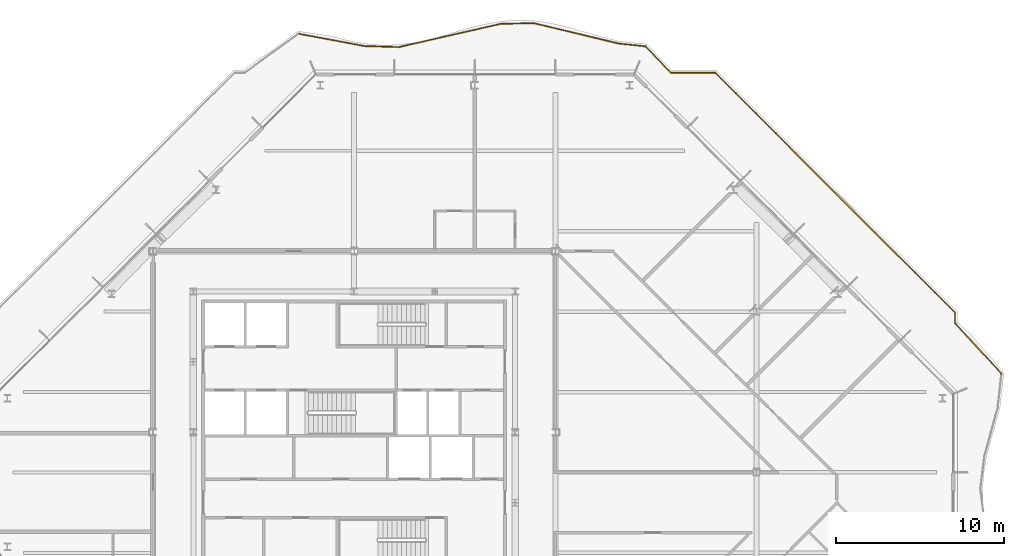
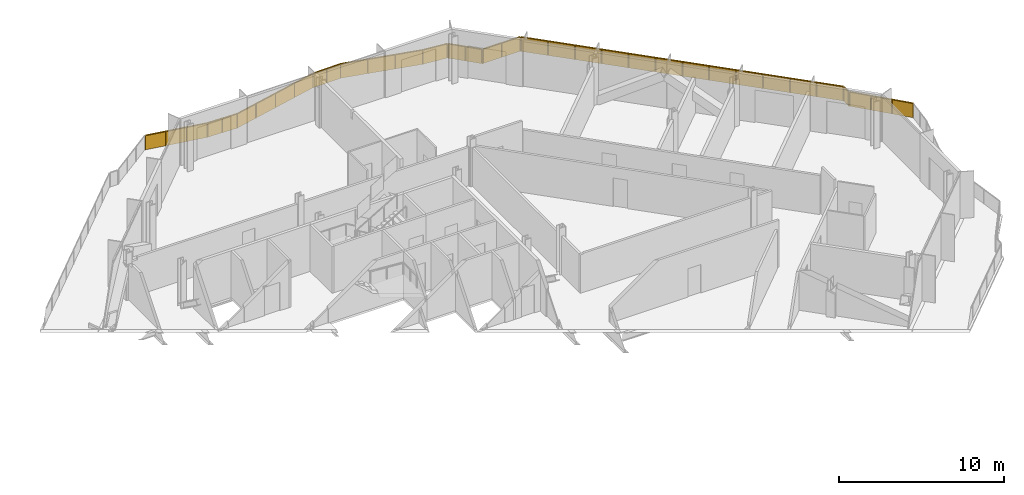
# One storey, part 17 of 17: 6 railings.
"""IFC4 building model written with IfcOpenShell, lengths in metres."""

from ifc_helpers import new_model, si_unit, direction, frame, origin, origin_2d, place, context, subcontext, project, spatial, polyline, rectangle, outline, extrude, material, type_object, element, save


model = new_model("IFC4")

# Units and contexts
model_context = context("Model", 3, precision=1e-05, world=origin(), true_north=direction((0.0, 1.0)))
body_context = subcontext(model_context, "Body", "Model", "MODEL_VIEW")
ifc_project = project(units=[si_unit("LENGTHUNIT", "METRE"), si_unit("AREAUNIT", "SQUARE_METRE"), si_unit("VOLUMEUNIT", "CUBIC_METRE"), si_unit("PLANEANGLEUNIT", "RADIAN"), si_unit("MASSUNIT", "GRAM", prefix="KILO")], contexts=[model_context])

# Site, building, storey
site_placement = place(None, origin())
site = spatial("IfcSite", under=ifc_project, at=site_placement, CompositionType="ELEMENT")
building_placement = place(site_placement, origin())
building = spatial("IfcBuilding", under=site, at=building_placement, Name="Cairn Pilgrim Tower", CompositionType="ELEMENT")
storey_placement = place(building_placement, frame((0.0, 0.0, 210.60009765625)))
storey = spatial("IfcBuildingStorey", under=building, at=storey_placement, Name="L53", CompositionType="ELEMENT", Elevation=210.60009765625)

# Railings
ifc_material = material(Name="Bronze anodised aluminium rail and posts with laminated glass infill", Category="aluminium")
railing_type = type_object("IfcRailingType", Name="BALCONY GUARD 1100", PredefinedType="GUARDRAIL", material=ifc_material)
railing_1_placement = place(storey_placement, frame((45.813720703125, 5.896484375, 0.0)))
element("IfcRailing", 1, at=railing_1_placement, inside=storey, type_object=railing_type, Name="Balcony guard BG-6", PredefinedType="GUARDRAIL", context=body_context, shape_type="SweptSolid", body=[
    extrude(rectangle(XDim=0.050048828125, YDim=0.050048828125, at=origin_2d()), frame((0.0, 0.0, 1.0751953125), z_axis=(-0.675483267483, 0.737375315122, 0.0), x_axis=(-0.737375315122, -0.675483267483, 0.0)), (0.0, 0.0, 1.0), 4.031494140625),
    extrude(rectangle(XDim=0.050048828125, YDim=0.050048828125, at=origin_2d()), origin(), (0.0, 0.0, 1.0), 1.050048828125),
    extrude(rectangle(XDim=0.050048828125, YDim=0.050048828125, at=origin_2d()), frame((-0.90771484375, 0.990966796875, 0.0)), (0.0, 0.0, 1.0), 1.050048828125),
    extrude(rectangle(XDim=0.050048828125, YDim=0.050048828125, at=origin_2d()), frame((-1.8154296875, 1.981689453125, 0.0)), (0.0, 0.0, 1.0), 1.050048828125),
    extrude(rectangle(XDim=0.050048828125, YDim=0.050048828125, at=origin_2d()), frame((-2.72314453125, 2.97265625, 0.0)), (0.0, 0.0, 1.0), 1.050048828125),
    extrude(outline(polyline([(0.02490234375, 0.0), (1.31884765625, 0.0), (1.31884765625, 1.050048828125), (0.02490234375, 1.050048828125), (0.02490234375, 0.0)])), frame((-0.00439453125, -0.004150390625, 0.0), z_axis=(0.737375315122, 0.675483267483, 0.0), x_axis=(-0.675483267483, 0.737375315122, 0.0)), (0.0, 0.0, 1.0), 0.011962890625),
    extrude(outline(polyline([(0.02490234375, 0.0), (1.31884765625, 0.0), (1.31884765625, 1.050048828125), (0.02490234375, 1.050048828125), (0.02490234375, 0.0)])), frame((-0.912109375, 0.98681640625, 0.0), z_axis=(0.737375315122, 0.675483267483, 0.0), x_axis=(-0.675483267483, 0.737375315122, 0.0)), (0.0, 0.0, 1.0), 0.011962890625),
    extrude(outline(polyline([(0.02490234375, 0.0), (1.31884765625, 0.0), (1.31884765625, 1.050048828125), (0.02490234375, 1.050048828125), (0.02490234375, 0.0)])), frame((-1.81982421875, 1.977783203125, 0.0), z_axis=(0.737375315122, 0.675483267483, 0.0), x_axis=(-0.675483267483, 0.737375315122, 0.0)), (0.0, 0.0, 1.0), 0.011962890625),
])
railing_2_placement = place(storey_placement, frame((43.050048828125, 8.913330078125, 0.0)))
element("IfcRailing", 2, at=railing_2_placement, inside=storey, type_object=railing_type, Name="Balcony guard BG-7", PredefinedType="GUARDRAIL", context=body_context, shape_type="SweptSolid", body=[
    extrude(rectangle(XDim=0.050048828125, YDim=0.050048828125, at=origin_2d()), frame((0.0, 0.0, 1.0751953125), z_axis=(0.0, 1.0, 0.0), x_axis=(-1.0, 0.0, 0.0)), (0.0, 0.0, 1.0), 0.564453125),
    extrude(rectangle(XDim=0.050048828125, YDim=0.050048828125, at=origin_2d()), origin(), (0.0, 0.0, 1.0), 1.050048828125),
    extrude(rectangle(XDim=0.050048828125, YDim=0.050048828125, at=origin_2d()), frame((0.0, 0.564453125, 0.0)), (0.0, 0.0, 1.0), 1.050048828125),
    extrude(outline(polyline([(0.02490234375, 0.0), (0.53955078125, 0.0), (0.53955078125, 1.050048828125), (0.02490234375, 1.050048828125), (0.02490234375, 0.0)])), frame((-0.005859375, 0.0, 0.0), z_axis=(1.0, 0.0, 0.0), x_axis=(0.0, 1.0, 0.0)), (0.0, 0.0, 1.0), 0.011962890625),
])
railing_3_placement = place(storey_placement, frame((43.050048828125, 9.537841796875, 0.0)))
element("IfcRailing", 3, at=railing_3_placement, inside=storey, type_object=railing_type, Name="Balcony guard BG-8", PredefinedType="GUARDRAIL", context=body_context, shape_type="SweptSolid", body=[
    extrude(rectangle(XDim=0.050048828125, YDim=0.050048828125, at=origin_2d()), frame((0.0, 0.0, 1.0751953125), z_axis=(-0.707106781187, 0.707106781187, 0.0), x_axis=(-0.707106781187, -0.707106781187, 0.0)), (0.0, 0.0, 1.0), 20.180419921875),
    extrude(rectangle(XDim=0.050048828125, YDim=0.050048828125, at=origin_2d()), origin(), (0.0, 0.0, 1.0), 1.050048828125),
    extrude(rectangle(XDim=0.050048828125, YDim=0.050048828125, at=origin_2d()), frame((-1.189208984375, 1.189208984375, 0.0)), (0.0, 0.0, 1.0), 1.050048828125),
    extrude(rectangle(XDim=0.050048828125, YDim=0.050048828125, at=origin_2d()), frame((-2.37841796875, 2.37841796875, 0.0)), (0.0, 0.0, 1.0), 1.050048828125),
    extrude(rectangle(XDim=0.050048828125, YDim=0.050048828125, at=origin_2d()), frame((-3.5673828125, 3.5673828125, 0.0)), (0.0, 0.0, 1.0), 1.050048828125),
    extrude(rectangle(XDim=0.050048828125, YDim=0.050048828125, at=origin_2d()), frame((-4.756591796875, 4.756591796875, 0.0)), (0.0, 0.0, 1.0), 1.050048828125),
    extrude(rectangle(XDim=0.050048828125, YDim=0.050048828125, at=origin_2d()), frame((-5.94580078125, 5.94580078125, 0.0)), (0.0, 0.0, 1.0), 1.050048828125),
    extrude(rectangle(XDim=0.050048828125, YDim=0.050048828125, at=origin_2d()), frame((-7.134765625, 7.134765625, 0.0)), (0.0, 0.0, 1.0), 1.050048828125),
    extrude(rectangle(XDim=0.050048828125, YDim=0.050048828125, at=origin_2d()), frame((-8.323974609375, 8.323974609375, 0.0)), (0.0, 0.0, 1.0), 1.050048828125),
    extrude(rectangle(XDim=0.050048828125, YDim=0.050048828125, at=origin_2d()), frame((-9.51318359375, 9.51318359375, 0.0)), (0.0, 0.0, 1.0), 1.050048828125),
    extrude(rectangle(XDim=0.050048828125, YDim=0.050048828125, at=origin_2d()), frame((-10.702392578125, 10.702392578125, 0.0)), (0.0, 0.0, 1.0), 1.050048828125),
    extrude(rectangle(XDim=0.050048828125, YDim=0.050048828125, at=origin_2d()), frame((-11.8916015625, 11.8916015625, 0.0)), (0.0, 0.0, 1.0), 1.050048828125),
    extrude(rectangle(XDim=0.050048828125, YDim=0.050048828125, at=origin_2d()), frame((-13.08056640625, 13.08056640625, 0.0)), (0.0, 0.0, 1.0), 1.050048828125),
    extrude(rectangle(XDim=0.050048828125, YDim=0.050048828125, at=origin_2d()), frame((-14.269775390625, 14.269775390625, 0.0)), (0.0, 0.0, 1.0), 1.050048828125),
    extrude(outline(polyline([(0.02490234375, 0.0), (1.65673828125, 0.0), (1.65673828125, 1.050048828125), (0.02490234375, 1.050048828125), (0.02490234375, 0.0)])), frame((-0.004150390625, -0.004150390625, 0.0), z_axis=(0.707106781187, 0.707106781187, 0.0), x_axis=(-0.707106781187, 0.707106781187, 0.0)), (0.0, 0.0, 1.0), 0.011962890625),
    extrude(outline(polyline([(0.02490234375, 0.0), (1.65673828125, 0.0), (1.65673828125, 1.050048828125), (0.02490234375, 1.050048828125), (0.02490234375, 0.0)])), frame((-1.193359375, 1.184814453125, 0.0), z_axis=(0.707106781187, 0.707106781187, 0.0), x_axis=(-0.707106781187, 0.707106781187, 0.0)), (0.0, 0.0, 1.0), 0.011962890625),
    extrude(outline(polyline([(0.02490234375, 0.0), (1.65673828125, 0.0), (1.65673828125, 1.050048828125), (0.02490234375, 1.050048828125), (0.02490234375, 0.0)])), frame((-2.382568359375, 2.3740234375, 0.0), z_axis=(0.707106781187, 0.707106781187, 0.0), x_axis=(-0.707106781187, 0.707106781187, 0.0)), (0.0, 0.0, 1.0), 0.011962890625),
    extrude(outline(polyline([(0.02490234375, 0.0), (1.65673828125, 0.0), (1.65673828125, 1.050048828125), (0.02490234375, 1.050048828125), (0.02490234375, 0.0)])), frame((-3.57177734375, 3.563232421875, 0.0), z_axis=(0.707106781187, 0.707106781187, 0.0), x_axis=(-0.707106781187, 0.707106781187, 0.0)), (0.0, 0.0, 1.0), 0.011962890625),
    extrude(outline(polyline([(0.02490234375, 0.0), (1.65673828125, 0.0), (1.65673828125, 1.050048828125), (0.02490234375, 1.050048828125), (0.02490234375, 0.0)])), frame((-4.7607421875, 4.75244140625, 0.0), z_axis=(0.707106781187, 0.707106781187, 0.0), x_axis=(-0.707106781187, 0.707106781187, 0.0)), (0.0, 0.0, 1.0), 0.011962890625),
    extrude(outline(polyline([(0.02490234375, 0.0), (1.65673828125, 0.0), (1.65673828125, 1.050048828125), (0.02490234375, 1.050048828125), (0.02490234375, 0.0)])), frame((-5.949951171875, 5.94140625, 0.0), z_axis=(0.707106781187, 0.707106781187, 0.0), x_axis=(-0.707106781187, 0.707106781187, 0.0)), (0.0, 0.0, 1.0), 0.011962890625),
    extrude(outline(polyline([(0.02490234375, 0.0), (1.65673828125, 0.0), (1.65673828125, 1.050048828125), (0.02490234375, 1.050048828125), (0.02490234375, 0.0)])), frame((-7.13916015625, 7.130615234375, 0.0), z_axis=(0.707106781187, 0.707106781187, 0.0), x_axis=(-0.707106781187, 0.707106781187, 0.0)), (0.0, 0.0, 1.0), 0.011962890625),
    extrude(outline(polyline([(0.02490234375, 0.0), (1.65673828125, 0.0), (1.65673828125, 1.050048828125), (0.02490234375, 1.050048828125), (0.02490234375, 0.0)])), frame((-8.328369140625, 8.31982421875, 0.0), z_axis=(0.707106781187, 0.707106781187, 0.0), x_axis=(-0.707106781187, 0.707106781187, 0.0)), (0.0, 0.0, 1.0), 0.011962890625),
    extrude(outline(polyline([(0.02490234375, 0.0), (1.65673828125, 0.0), (1.65673828125, 1.050048828125), (0.02490234375, 1.050048828125), (0.02490234375, 0.0)])), frame((-9.517333984375, 9.509033203125, 0.0), z_axis=(0.707106781187, 0.707106781187, 0.0), x_axis=(-0.707106781187, 0.707106781187, 0.0)), (0.0, 0.0, 1.0), 0.011962890625),
    extrude(outline(polyline([(0.02490234375, 0.0), (1.65673828125, 0.0), (1.65673828125, 1.050048828125), (0.02490234375, 1.050048828125), (0.02490234375, 0.0)])), frame((-10.70654296875, 10.697998046875, 0.0), z_axis=(0.707106781187, 0.707106781187, 0.0), x_axis=(-0.707106781187, 0.707106781187, 0.0)), (0.0, 0.0, 1.0), 0.011962890625),
    extrude(outline(polyline([(0.02490234375, 0.0), (1.65673828125, 0.0), (1.65673828125, 1.050048828125), (0.02490234375, 1.050048828125), (0.02490234375, 0.0)])), frame((-11.895751953125, 11.88720703125, 0.0), z_axis=(0.707106781187, 0.707106781187, 0.0), x_axis=(-0.707106781187, 0.707106781187, 0.0)), (0.0, 0.0, 1.0), 0.011962890625),
    extrude(outline(polyline([(0.02490234375, 0.0), (1.65673828125, 0.0), (1.65673828125, 1.050048828125), (0.02490234375, 1.050048828125), (0.02490234375, 0.0)])), frame((-13.0849609375, 13.076416015625, 0.0), z_axis=(0.707106781187, 0.707106781187, 0.0), x_axis=(-0.707106781187, 0.707106781187, 0.0)), (0.0, 0.0, 1.0), 0.011962890625),
])
railing_4_placement = place(storey_placement, frame((28.73779296875, 23.85009765625, 0.0)))
element("IfcRailing", 4, at=railing_4_placement, inside=storey, type_object=railing_type, Name="Balcony guard BG-9", PredefinedType="GUARDRAIL", context=body_context, shape_type="SweptSolid", body=[
    extrude(rectangle(XDim=0.050048828125, YDim=0.050048828125, at=origin_2d()), frame((0.0, 0.0, 1.0751953125), z_axis=(-1.0, 0.0, 0.0), x_axis=(0.0, -1.0, 0.0)), (0.0, 0.0, 1.0), 2.585693359375),
    extrude(rectangle(XDim=0.050048828125, YDim=0.050048828125, at=origin_2d()), origin(), (0.0, 0.0, 1.0), 1.050048828125),
    extrude(rectangle(XDim=0.050048828125, YDim=0.050048828125, at=origin_2d()), frame((-1.29296875, 0.0, 0.0)), (0.0, 0.0, 1.0), 1.050048828125),
    extrude(rectangle(XDim=0.050048828125, YDim=0.050048828125, at=origin_2d()), frame((-2.585693359375, 0.0, 0.0)), (0.0, 0.0, 1.0), 1.050048828125),
    extrude(outline(polyline([(0.02490234375, 0.0), (1.267822265625, 0.0), (1.267822265625, 1.050048828125), (0.02490234375, 1.050048828125), (0.02490234375, 0.0)])), frame((0.0, -0.005859375, 0.0), z_axis=(0.0, 1.0, 0.0), x_axis=(-1.0, 0.0, 0.0)), (0.0, 0.0, 1.0), 0.011962890625),
    extrude(outline(polyline([(0.02490234375, 0.0), (1.267822265625, 0.0), (1.267822265625, 1.050048828125), (0.02490234375, 1.050048828125), (0.02490234375, 0.0)])), frame((-1.29296875, -0.005859375, 0.0), z_axis=(0.0, 1.0, 0.0), x_axis=(-1.0, 0.0, 0.0)), (0.0, 0.0, 1.0), 0.011962890625),
])
railing_5_placement = place(storey_placement, frame((26.092041015625, 23.85009765625, 0.0)))
element("IfcRailing", 5, at=railing_5_placement, inside=storey, type_object=railing_type, Name="Balcony guard BG-10", PredefinedType="GUARDRAIL", context=body_context, shape_type="SweptSolid", body=[
    extrude(rectangle(XDim=0.050048828125, YDim=0.050048828125, at=origin_2d()), frame((0.0, 0.0, 1.0751953125), z_axis=(-0.692359551707, 0.721552666935, 0.0), x_axis=(-0.721552666935, -0.692359551707, 0.0)), (0.0, 0.0, 1.0), 2.124267578125),
    extrude(rectangle(XDim=0.050048828125, YDim=0.050048828125, at=origin_2d()), origin(), (0.0, 0.0, 1.0), 1.050048828125),
    extrude(rectangle(XDim=0.050048828125, YDim=0.050048828125, at=origin_2d()), frame((-0.7353515625, 0.766357421875, 0.0)), (0.0, 0.0, 1.0), 1.050048828125),
    extrude(rectangle(XDim=0.050048828125, YDim=0.050048828125, at=origin_2d()), frame((-1.470703125, 1.53271484375, 0.0)), (0.0, 0.0, 1.0), 1.050048828125),
    extrude(outline(polyline([(0.02490234375, 0.0), (1.037109375, 0.0), (1.037109375, 1.050048828125), (0.02490234375, 1.050048828125), (0.02490234375, 0.0)])), frame((-0.00439453125, -0.004150390625, 0.0), z_axis=(0.721552666935, 0.692359551707, 0.0), x_axis=(-0.692359551707, 0.721552666935, 0.0)), (0.0, 0.0, 1.0), 0.011962890625),
    extrude(outline(polyline([(0.02490234375, 0.0), (1.037109375, 0.0), (1.037109375, 1.050048828125), (0.02490234375, 1.050048828125), (0.02490234375, 0.0)])), frame((-0.73974609375, 0.76220703125, 0.0), z_axis=(0.721552666935, 0.692359551707, 0.0), x_axis=(-0.692359551707, 0.721552666935, 0.0)), (0.0, 0.0, 1.0), 0.011962890625),
])
railing_6_placement = place(storey_placement, frame((24.579833984375, 25.42626953125, 0.0)))
element("IfcRailing", 6, at=railing_6_placement, inside=storey, type_object=railing_type, Name="Balcony guard BG-11", PredefinedType="GUARDRAIL", context=body_context, shape_type="SweptSolid", body=[
    extrude(rectangle(XDim=0.050048828125, YDim=0.050048828125, at=origin_2d()), frame((0.0, 0.0, 1.0751953125), z_axis=(-0.994516973062, 0.104575285277, 0.0), x_axis=(-0.104575285277, -0.994516973062, 0.0)), (0.0, 0.0, 1.0), 1.624755859375),
    extrude(rectangle(XDim=0.050048828125, YDim=0.050048828125, at=origin_2d()), frame((-1.615966796875, 0.169921875, 1.0751953125), z_axis=(-0.972234147749, 0.234010174886, 0.0), x_axis=(-0.234010174886, -0.972234147749, 0.0)), (0.0, 0.0, 1.0), 5.187255859375),
    extrude(rectangle(XDim=0.050048828125, YDim=0.050048828125, at=origin_2d()), frame((-6.6591796875, 1.3837890625, 1.0751953125), z_axis=(-0.999796903004, -0.020153231575, 0.0), x_axis=(0.020153231575, -0.999796903004, 0.0)), (0.0, 0.0, 1.0), 1.98681640625),
    extrude(rectangle(XDim=0.050048828125, YDim=0.050048828125, at=origin_2d()), frame((-8.6455078125, 1.34375, 1.0751953125), z_axis=(-0.974798824211, -0.223085751038, 0.0), x_axis=(0.223085751038, -0.974798824211, 0.0)), (0.0, 0.0, 1.0), 6.2236328125),
    extrude(rectangle(XDim=0.050048828125, YDim=0.050048828125, at=origin_2d()), frame((-14.71240234375, -0.044677734375, 1.0751953125), z_axis=(-0.999561461721, 0.029612231287, 0.0), x_axis=(-0.029612231287, -0.999561461721, 0.0)), (0.0, 0.0, 1.0), 2.052978515625),
    extrude(rectangle(XDim=0.050048828125, YDim=0.050048828125, at=origin_2d()), frame((-16.764404296875, 0.01611328125, 1.0751953125), z_axis=(-0.982977488562, 0.183726037842, 0.0), x_axis=(-0.183726037842, -0.982977488562, 0.0)), (0.0, 0.0, 1.0), 3.957275390625),
    extrude(rectangle(XDim=0.050048828125, YDim=0.050048828125, at=origin_2d()), origin(), (0.0, 0.0, 1.0), 1.050048828125),
    extrude(rectangle(XDim=0.050048828125, YDim=0.050048828125, at=origin_2d()), frame((-1.615966796875, 0.169921875, 0.0)), (0.0, 0.0, 1.0), 1.050048828125),
    extrude(rectangle(XDim=0.050048828125, YDim=0.050048828125, at=origin_2d()), frame((-3.297119140625, 0.574462890625, 0.0)), (0.0, 0.0, 1.0), 1.050048828125),
    extrude(rectangle(XDim=0.050048828125, YDim=0.050048828125, at=origin_2d()), frame((-4.97802734375, 0.979248046875, 0.0)), (0.0, 0.0, 1.0), 1.050048828125),
    extrude(rectangle(XDim=0.050048828125, YDim=0.050048828125, at=origin_2d()), frame((-6.6591796875, 1.3837890625, 0.0)), (0.0, 0.0, 1.0), 1.050048828125),
    extrude(rectangle(XDim=0.050048828125, YDim=0.050048828125, at=origin_2d()), frame((-7.65234375, 1.36376953125, 0.0)), (0.0, 0.0, 1.0), 1.050048828125),
    extrude(rectangle(XDim=0.050048828125, YDim=0.050048828125, at=origin_2d()), frame((-8.6455078125, 1.34375, 0.0)), (0.0, 0.0, 1.0), 1.050048828125),
    extrude(rectangle(XDim=0.050048828125, YDim=0.050048828125, at=origin_2d()), frame((-10.162109375, 0.99658203125, 0.0)), (0.0, 0.0, 1.0), 1.050048828125),
    extrude(rectangle(XDim=0.050048828125, YDim=0.050048828125, at=origin_2d()), frame((-11.678955078125, 0.6494140625, 0.0)), (0.0, 0.0, 1.0), 1.050048828125),
    extrude(rectangle(XDim=0.050048828125, YDim=0.050048828125, at=origin_2d()), frame((-13.19580078125, 0.302490234375, 0.0)), (0.0, 0.0, 1.0), 1.050048828125),
    extrude(rectangle(XDim=0.050048828125, YDim=0.050048828125, at=origin_2d()), frame((-14.71240234375, -0.044677734375, 0.0)), (0.0, 0.0, 1.0), 1.050048828125),
    extrude(rectangle(XDim=0.050048828125, YDim=0.050048828125, at=origin_2d()), frame((-15.73828125, -0.01416015625, 0.0)), (0.0, 0.0, 1.0), 1.050048828125),
    extrude(rectangle(XDim=0.050048828125, YDim=0.050048828125, at=origin_2d()), frame((-16.764404296875, 0.01611328125, 0.0)), (0.0, 0.0, 1.0), 1.050048828125),
    extrude(rectangle(XDim=0.050048828125, YDim=0.050048828125, at=origin_2d()), frame((-18.06103515625, 0.258544921875, 0.0)), (0.0, 0.0, 1.0), 1.050048828125),
    extrude(rectangle(XDim=0.050048828125, YDim=0.050048828125, at=origin_2d()), frame((-19.357666015625, 0.500732421875, 0.0)), (0.0, 0.0, 1.0), 1.050048828125),
    extrude(rectangle(XDim=0.050048828125, YDim=0.050048828125, at=origin_2d()), frame((-20.654296875, 0.7431640625, 0.0)), (0.0, 0.0, 1.0), 1.050048828125),
    extrude(outline(polyline([(0.02490234375, 0.0), (1.599853515625, 0.0), (1.599853515625, 1.050048828125), (0.02490234375, 1.050048828125), (0.02490234375, 0.0)])), frame((-0.000732421875, -0.005859375, 0.0), z_axis=(0.104575285277, 0.994516973062, 0.0), x_axis=(-0.994516973062, 0.104575285277, 0.0)), (0.0, 0.0, 1.0), 0.011962890625),
    extrude(outline(polyline([(0.02490234375, 0.0), (1.7041015625, 0.0), (1.7041015625, 1.050048828125), (0.02490234375, 1.050048828125), (0.02490234375, 0.0)])), frame((-1.617431640625, 0.1640625, 0.0), z_axis=(0.234010174886, 0.972234147749, 0.0), x_axis=(-0.972234147749, 0.234010174886, 0.0)), (0.0, 0.0, 1.0), 0.011962890625),
    extrude(outline(polyline([(0.02490234375, 0.0), (1.7041015625, 0.0), (1.7041015625, 1.050048828125), (0.02490234375, 1.050048828125), (0.02490234375, 0.0)])), frame((-3.29833984375, 0.56884765625, 0.0), z_axis=(0.234010174886, 0.972234147749, 0.0), x_axis=(-0.972234147749, 0.234010174886, 0.0)), (0.0, 0.0, 1.0), 0.011962890625),
    extrude(outline(polyline([(0.02490234375, 0.0), (1.7041015625, 0.0), (1.7041015625, 1.050048828125), (0.02490234375, 1.050048828125), (0.02490234375, 0.0)])), frame((-4.9794921875, 0.973388671875, 0.0), z_axis=(0.234010174886, 0.972234147749, 0.0), x_axis=(-0.972234147749, 0.234010174886, 0.0)), (0.0, 0.0, 1.0), 0.011962890625),
    extrude(outline(polyline([(0.02490234375, 0.0), (0.96826171875, 0.0), (0.96826171875, 1.050048828125), (0.02490234375, 1.050048828125), (0.02490234375, 0.0)])), frame((-6.6591796875, 1.3779296875, 0.0), z_axis=(-0.020153231575, 0.999796903004, 0.0), x_axis=(-0.999796903004, -0.020153231575, 0.0)), (0.0, 0.0, 1.0), 0.011962890625),
    extrude(outline(polyline([(0.02490234375, 0.0), (0.96826171875, 0.0), (0.96826171875, 1.050048828125), (0.02490234375, 1.050048828125), (0.02490234375, 0.0)])), frame((-7.65234375, 1.35791015625, 0.0), z_axis=(-0.020153231575, 0.999796903004, 0.0), x_axis=(-0.999796903004, -0.020153231575, 0.0)), (0.0, 0.0, 1.0), 0.011962890625),
    extrude(outline(polyline([(0.02490234375, 0.0), (1.531005859375, 0.0), (1.531005859375, 1.050048828125), (0.02490234375, 1.050048828125), (0.02490234375, 0.0)])), frame((-8.644287109375, 1.337890625, 0.0), z_axis=(-0.223085751038, 0.974798824211, 0.0), x_axis=(-0.974798824211, -0.223085751038, 0.0)), (0.0, 0.0, 1.0), 0.011962890625),
    extrude(outline(polyline([(0.02490234375, 0.0), (1.531005859375, 0.0), (1.531005859375, 1.050048828125), (0.02490234375, 1.050048828125), (0.02490234375, 0.0)])), frame((-10.160888671875, 0.99072265625, 0.0), z_axis=(-0.223085751038, 0.974798824211, 0.0), x_axis=(-0.974798824211, -0.223085751038, 0.0)), (0.0, 0.0, 1.0), 0.011962890625),
    extrude(outline(polyline([(0.02490234375, 0.0), (1.531005859375, 0.0), (1.531005859375, 1.050048828125), (0.02490234375, 1.050048828125), (0.02490234375, 0.0)])), frame((-11.677734375, 0.643798828125, 0.0), z_axis=(-0.223085751038, 0.974798824211, 0.0), x_axis=(-0.974798824211, -0.223085751038, 0.0)), (0.0, 0.0, 1.0), 0.011962890625),
    extrude(outline(polyline([(0.02490234375, 0.0), (1.531005859375, 0.0), (1.531005859375, 1.050048828125), (0.02490234375, 1.050048828125), (0.02490234375, 0.0)])), frame((-13.1943359375, 0.296630859375, 0.0), z_axis=(-0.223085751038, 0.974798824211, 0.0), x_axis=(-0.974798824211, -0.223085751038, 0.0)), (0.0, 0.0, 1.0), 0.011962890625),
    extrude(outline(polyline([(0.02490234375, 0.0), (1.00146484375, 0.0), (1.00146484375, 1.050048828125), (0.02490234375, 1.050048828125), (0.02490234375, 0.0)])), frame((-14.712646484375, -0.050537109375, 0.0), z_axis=(0.029612231287, 0.999561461721, 0.0), x_axis=(-0.999561461721, 0.029612231287, 0.0)), (0.0, 0.0, 1.0), 0.011962890625),
    extrude(outline(polyline([(0.02490234375, 0.0), (1.00146484375, 0.0), (1.00146484375, 1.050048828125), (0.02490234375, 1.050048828125), (0.02490234375, 0.0)])), frame((-15.738525390625, -0.020263671875, 0.0), z_axis=(0.029612231287, 0.999561461721, 0.0), x_axis=(-0.999561461721, 0.029612231287, 0.0)), (0.0, 0.0, 1.0), 0.011962890625),
    extrude(outline(polyline([(0.02490234375, 0.0), (1.2939453125, 0.0), (1.2939453125, 1.050048828125), (0.02490234375, 1.050048828125), (0.02490234375, 0.0)])), frame((-16.765625, 0.01025390625, 0.0), z_axis=(0.183726037842, 0.982977488562, 0.0), x_axis=(-0.982977488562, 0.183726037842, 0.0)), (0.0, 0.0, 1.0), 0.011962890625),
    extrude(outline(polyline([(0.02490234375, 0.0), (1.2939453125, 0.0), (1.2939453125, 1.050048828125), (0.02490234375, 1.050048828125), (0.02490234375, 0.0)])), frame((-18.062255859375, 0.252685546875, 0.0), z_axis=(0.183726037842, 0.982977488562, 0.0), x_axis=(-0.982977488562, 0.183726037842, 0.0)), (0.0, 0.0, 1.0), 0.011962890625),
    extrude(outline(polyline([(0.02490234375, 0.0), (1.2939453125, 0.0), (1.2939453125, 1.050048828125), (0.02490234375, 1.050048828125), (0.02490234375, 0.0)])), frame((-19.35888671875, 0.494873046875, 0.0), z_axis=(0.183726037842, 0.982977488562, 0.0), x_axis=(-0.982977488562, 0.183726037842, 0.0)), (0.0, 0.0, 1.0), 0.011962890625),
])

save(model, "model.ifc")
